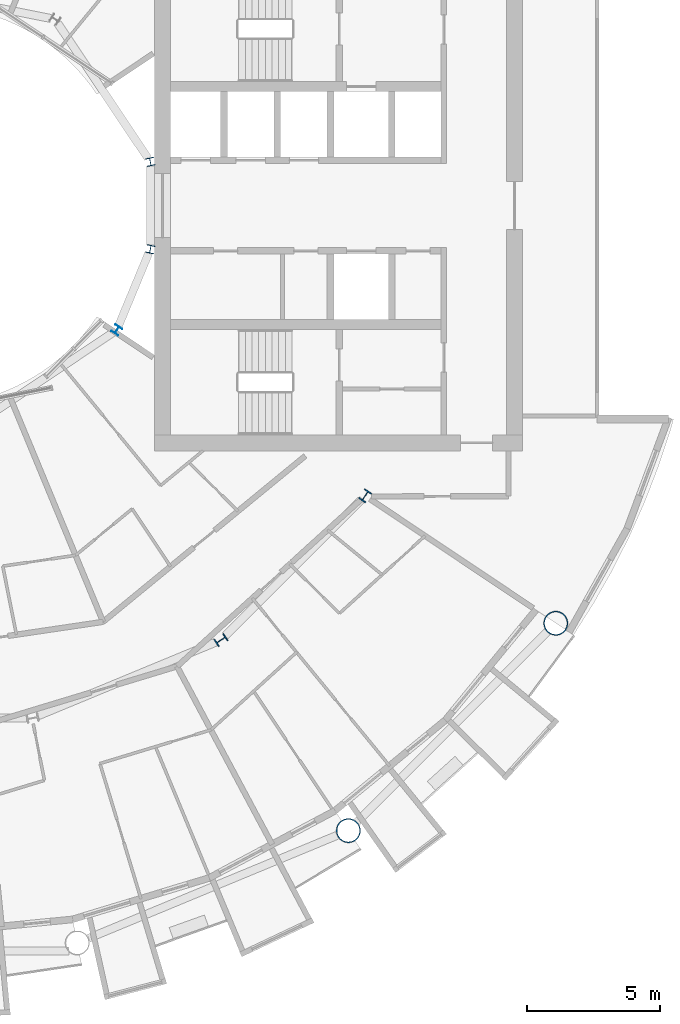
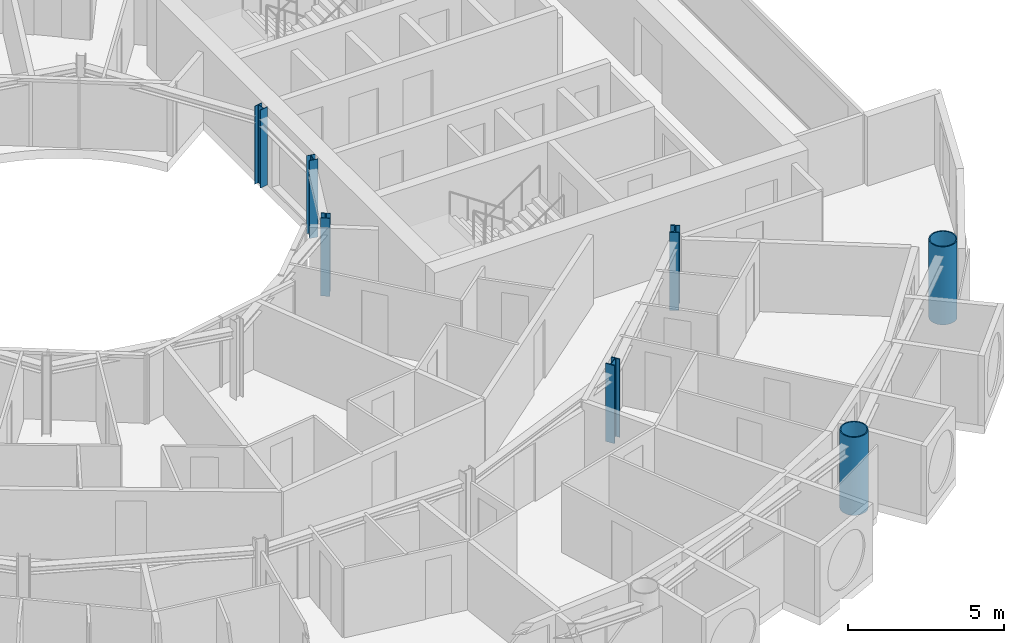
# One storey, part 2 of 28: 7 columns.
"""IFC4 building model written with IfcOpenShell, lengths in metres."""

from ifc_helpers import new_model, si_unit, direction, frame, origin, origin_2d, place, context, subcontext, project, spatial, hollow_circle, i_section, extrude, material, material_profile, profile_set, type_object, element, save


model = new_model("IFC4")

# Units and contexts
model_context = context("Model", 3, precision=1e-05, world=origin(), true_north=direction((0.0, 1.0)))
body_context = subcontext(model_context, "Body", "Model", "MODEL_VIEW")
ifc_project = project(units=[si_unit("LENGTHUNIT", "METRE"), si_unit("AREAUNIT", "SQUARE_METRE"), si_unit("VOLUMEUNIT", "CUBIC_METRE"), si_unit("PLANEANGLEUNIT", "RADIAN"), si_unit("MASSUNIT", "GRAM", prefix="KILO")], contexts=[model_context])

# Site, building, storey
site_placement = place(None, origin())
site = spatial("IfcSite", under=ifc_project, at=site_placement, CompositionType="ELEMENT")
building_placement = place(site_placement, origin())
building = spatial("IfcBuilding", under=site, at=building_placement, Name="Maasbend Ring Residences", CompositionType="ELEMENT")
storey_placement = place(building_placement, frame((0.0, 0.0, 133.0)))
storey = spatial("IfcBuildingStorey", under=building, at=storey_placement, Name="L38", CompositionType="ELEMENT", Elevation=133.0)

# Columns
ifc_material_1 = material(Name="Composite concrete-filled steel tube S460NH / C80/95", Category="concrete")
ifc_material_profile_1 = material_profile(ifc_material_1, hollow_circle(Radius=0.45703125, WallThickness=0.0400390625, at=origin_2d()), Name="Composite tube column CHS 914x40")
ifc_profile_set_1 = profile_set([ifc_material_profile_1], Name="Composite concrete-filled steel tube S460NH / C80/95")
column_type_1 = type_object("IfcColumnType", Name="Composite tube column CHS 914x40", PredefinedType="COLUMN", material=ifc_profile_set_1)
for number, where, z_axis, x_axis, name in (
    (1, (15.6669921875, -23.447509765625, 0.0), (0.0, 0.0, 1.0), (1.0, 0.0, 0.0), "Outer column R14"),
    (2, (23.447509765625, -15.6669921875, 0.0), (0.0, 0.0, 1.0), (1.0, 0.0, 0.0), "Outer column R15"),
):
    element("IfcColumn", number, at=place(storey_placement, frame(where, z_axis=z_axis, x_axis=x_axis)), inside=storey, type_object=column_type_1, Name=name, PredefinedType="COLUMN", context=body_context, shape_type="SweptSolid", body=[
        extrude(hollow_circle(Radius=0.45703125, WallThickness=0.0400390625, at=origin_2d()), origin(), (0.0, 0.0, 1.0), 3.050048828125),
    ])
ifc_material_2 = material(Name="Steel S355J2", Category="steel")
ifc_material_profile_2 = material_profile(ifc_material_2, i_section(OverallWidth=0.300048828125, OverallDepth=0.300048828125, WebThickness=0.010986328125, FlangeThickness=0.01904296875, FilletRadius=0.027099609375, at=origin_2d()), Name="HEB 300")
ifc_profile_set_2 = profile_set([ifc_material_profile_2], Name="Steel S355J2")
column_type_2 = type_object("IfcColumnType", Name="Steel column HEB 300", PredefinedType="COLUMN", material=ifc_profile_set_2)
for number, where, z_axis, x_axis, name in (
    (3, (8.238525390625, 1.638916015625, 0.0), (0.0, 0.0, 1.0), (0.980785280403, 0.195090322016, 0.0), "Well ring column R1"),
    (4, (6.984375, -4.666748046875, 0.0), (0.0, 0.0, 1.0), (0.831469612303, -0.55557023302, 0.0), "Well ring column R15"),
    (5, (8.238525390625, -1.638916015625, 0.0), (0.0, 0.0, 1.0), (0.980785280403, -0.195090322016, 0.0), "Well ring column R16"),
):
    element("IfcColumn", number, at=place(storey_placement, frame(where, z_axis=z_axis, x_axis=x_axis)), inside=storey, type_object=column_type_2, Name=name, PredefinedType="COLUMN", context=body_context, shape_type="SweptSolid", body=[
        extrude(i_section(OverallWidth=0.300048828125, OverallDepth=0.300048828125, WebThickness=0.010986328125, FlangeThickness=0.01904296875, FilletRadius=0.027099609375, at=origin_2d()), origin(), (0.0, 0.0, 1.0), 3.050048828125),
    ])
ifc_material_3 = material(Name="Steel S460M", Category="steel")
ifc_material_profile_3 = material_profile(ifc_material_3, i_section(OverallWidth=0.306884765625, OverallDepth=0.431884765625, WebThickness=0.02099609375, FlangeThickness=0.0400390625, FilletRadius=0.027099609375, at=origin_2d()), Name="HEM 400")
ifc_profile_set_3 = profile_set([ifc_material_profile_3], Name="Steel S460M")
column_type_3 = type_object("IfcColumnType", Name="Steel column HEM 400", PredefinedType="COLUMN", material=ifc_profile_set_3)
for number, where, z_axis, x_axis, name in (
    (6, (10.88916015625, -16.296875, 0.0), (0.0, 0.0, 1.0), (0.55557023302, -0.831469612303, 0.0), "Corridor ring column R14"),
    (7, (16.296875, -10.88916015625, 0.0), (0.0, 0.0, 1.0), (0.831469612303, -0.55557023302, 0.0), "Corridor ring column R15"),
):
    element("IfcColumn", number, at=place(storey_placement, frame(where, z_axis=z_axis, x_axis=x_axis)), inside=storey, type_object=column_type_3, Name=name, PredefinedType="COLUMN", context=body_context, shape_type="SweptSolid", body=[
        extrude(i_section(OverallWidth=0.306884765625, OverallDepth=0.431884765625, WebThickness=0.02099609375, FlangeThickness=0.0400390625, FilletRadius=0.027099609375, at=origin_2d()), origin(), (0.0, 0.0, 1.0), 3.050048828125),
    ])

save(model, "model.ifc")
